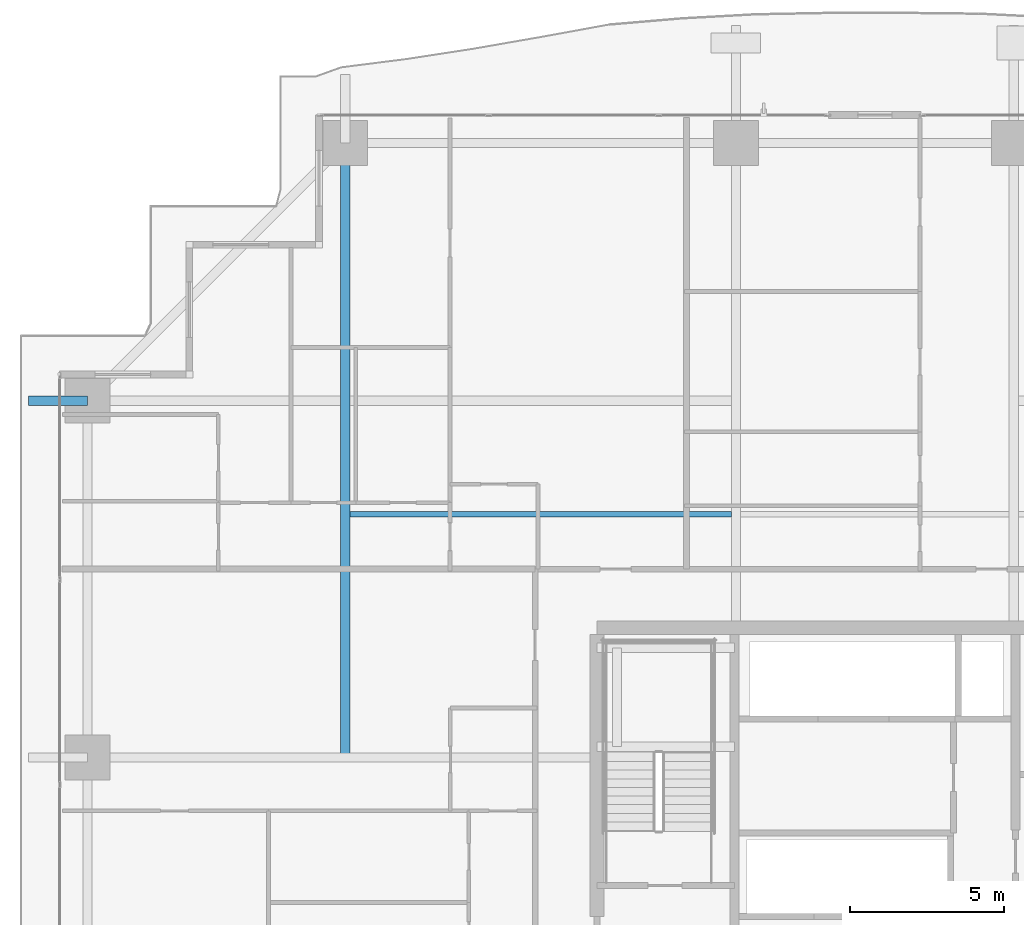
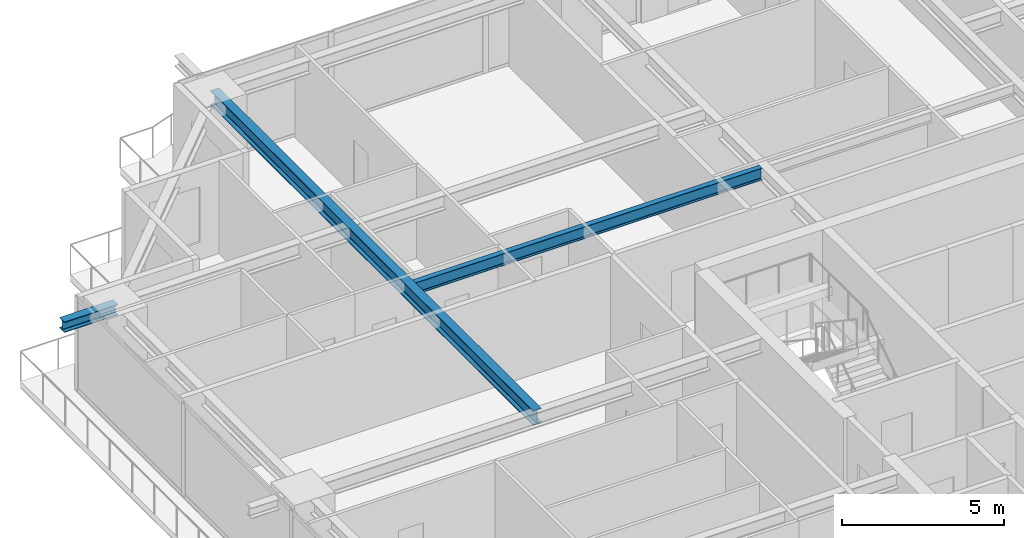
# One storey, part 17 of 38: 3 beams.
"""IFC4 building model written with IfcOpenShell, lengths in metres."""

from ifc_helpers import new_model, si_unit, direction, frame, origin, origin_2d, place, context, subcontext, project, spatial, i_section, extrude, source, transform, mapped, material, material_profile, profile_set, type_object, element, save


model = new_model("IFC4")

# Units and contexts
model_context = context("Model", 3, precision=1e-05, world=origin(), true_north=direction((0.0, 1.0)))
body_context = subcontext(model_context, "Body", "Model", "MODEL_VIEW")
ifc_project = project(units=[si_unit("LENGTHUNIT", "METRE"), si_unit("AREAUNIT", "SQUARE_METRE"), si_unit("VOLUMEUNIT", "CUBIC_METRE"), si_unit("PLANEANGLEUNIT", "RADIAN"), si_unit("MASSUNIT", "GRAM", prefix="KILO")], contexts=[model_context])

# Site, building, storey
site_placement = place(None, origin())
site = spatial("IfcSite", under=ifc_project, at=site_placement, CompositionType="ELEMENT")
building_placement = place(site_placement, origin())
building = spatial("IfcBuilding", under=site, at=building_placement, Name="Serunith Strait Residences", CompositionType="ELEMENT")
storey_placement = place(building_placement, frame((0.0, 0.0, 30.449951171875)))
storey = spatial("IfcBuildingStorey", under=building, at=storey_placement, Name="L06", CompositionType="ELEMENT", Elevation=30.449951171875)

# Beams
ifc_material = material(Name="Steel S355J2", Category="steel")
ifc_material_profile_1 = material_profile(ifc_material, i_section(OverallWidth=0.300048828125, OverallDepth=0.550048828125, WebThickness=0.014892578125, FlangeThickness=0.029052734375, FilletRadius=0.027099609375, at=origin_2d()), Name="HEB 550")
ifc_profile_set_1 = profile_set([ifc_material_profile_1], Name="Steel S355J2")
beam_type_1 = type_object("IfcBeamType", Name="BM-HEB550", PredefinedType="BEAM", material=ifc_profile_set_1)
shared_shape_1 = source(origin(), body_context, "Body", "SweptSolid", [
    extrude(i_section(OverallWidth=0.300048828125, OverallDepth=0.550048828125, WebThickness=0.014892578125, FlangeThickness=0.029052734375, FilletRadius=0.027099609375, at=origin_2d()), origin(), (0.0, 0.0, 1.0), 19.900146484375),
])
beam_1_placement = place(storey_placement, frame((15.25, 29.39990234375, 3.212158203125), z_axis=(0.0, 1.0, 0.0), x_axis=(-1.0, 0.0, 0.0)))
element("IfcBeam", 1, at=beam_1_placement, inside=storey, type_object=beam_type_1, Name="L06 Orthogonal Corner Girder TC-N1", PredefinedType="BEAM", context=body_context, shape_type="MappedRepresentation", body=[
    mapped(shared_shape_1, transform((0.0, 0.0, 0.0), scale=1.0)),
])
ifc_material_profile_2 = material_profile(ifc_material, i_section(OverallWidth=0.18994140625, OverallDepth=0.449951171875, WebThickness=0.009521484375, FlangeThickness=0.0146484375, FilletRadius=0.02099609375, at=origin_2d()), Name="IPE 450")
ifc_profile_set_2 = profile_set([ifc_material_profile_2], Name="Steel S355J2")
beam_type_2 = type_object("IfcBeamType", Name="BM-IPE450", PredefinedType="JOIST", material=ifc_profile_set_2)
shared_shape_2 = source(origin(), body_context, "Body", "SweptSolid", [
    extrude(i_section(OverallWidth=0.18994140625, OverallDepth=0.449951171875, WebThickness=0.009521484375, FlangeThickness=0.0146484375, FilletRadius=0.02099609375, at=origin_2d()), origin(), (0.0, 0.0, 1.0), 12.35009765625),
])
beam_2_placement = place(storey_placement, frame((15.39990234375, 37.27490234375, 3.261962890625), z_axis=(1.0, 0.0, 0.0), x_axis=(0.0, 1.0, 0.0)))
element("IfcBeam", 2, at=beam_2_placement, inside=storey, type_object=beam_type_2, Name="L06 Composite Floor Joist 04", PredefinedType="JOIST", context=body_context, shape_type="MappedRepresentation", body=[
    mapped(shared_shape_2, transform((0.0, 0.0, 0.0), scale=1.0)),
])
ifc_material_profile_3 = material_profile(ifc_material, i_section(OverallWidth=0.300048828125, OverallDepth=0.39990234375, WebThickness=0.013427734375, FlangeThickness=0.02392578125, FilletRadius=0.027099609375, at=origin_2d()), Name="HEB 400")
ifc_profile_set_3 = profile_set([ifc_material_profile_3], Name="Steel S355J2")
beam_type_3 = type_object("IfcBeamType", Name="BM-HEB400", PredefinedType="BEAM", material=ifc_profile_set_3)
shared_shape_3 = source(origin(), body_context, "Body", "SweptSolid", [
    extrude(i_section(OverallWidth=0.300048828125, OverallDepth=0.39990234375, WebThickness=0.013427734375, FlangeThickness=0.02392578125, FilletRadius=0.027099609375, at=origin_2d()), origin(), (0.0, 0.0, 1.0), 1.909912109375),
])
beam_3_placement = place(storey_placement, frame((6.89990234375, 40.949951171875, 3.257080078125), z_axis=(-1.0, 0.0, 0.0), x_axis=(0.0, -1.0, 0.0)))
element("IfcBeam", 3, at=beam_3_placement, inside=storey, type_object=beam_type_3, Name="L07 Cantilevered Balcony Rib TC-W4", PredefinedType="BEAM", context=body_context, shape_type="MappedRepresentation", body=[
    mapped(shared_shape_3, transform((0.0, 0.0, 0.0), scale=1.0)),
])

save(model, "model.ifc")
